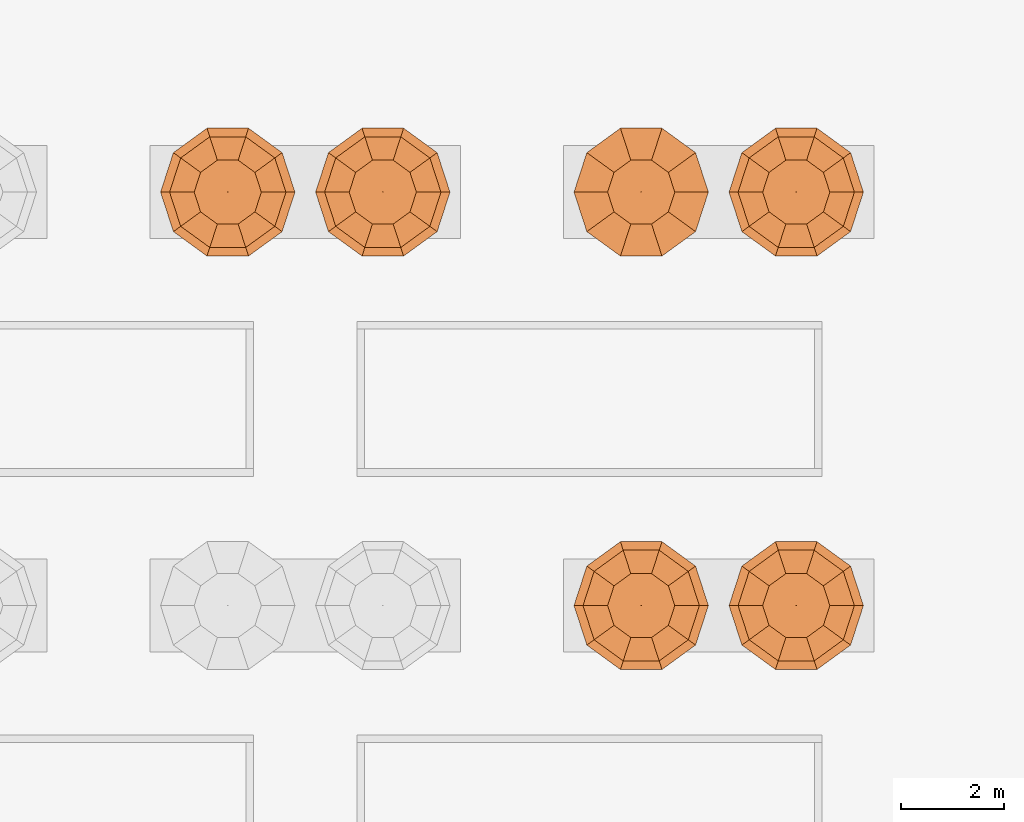
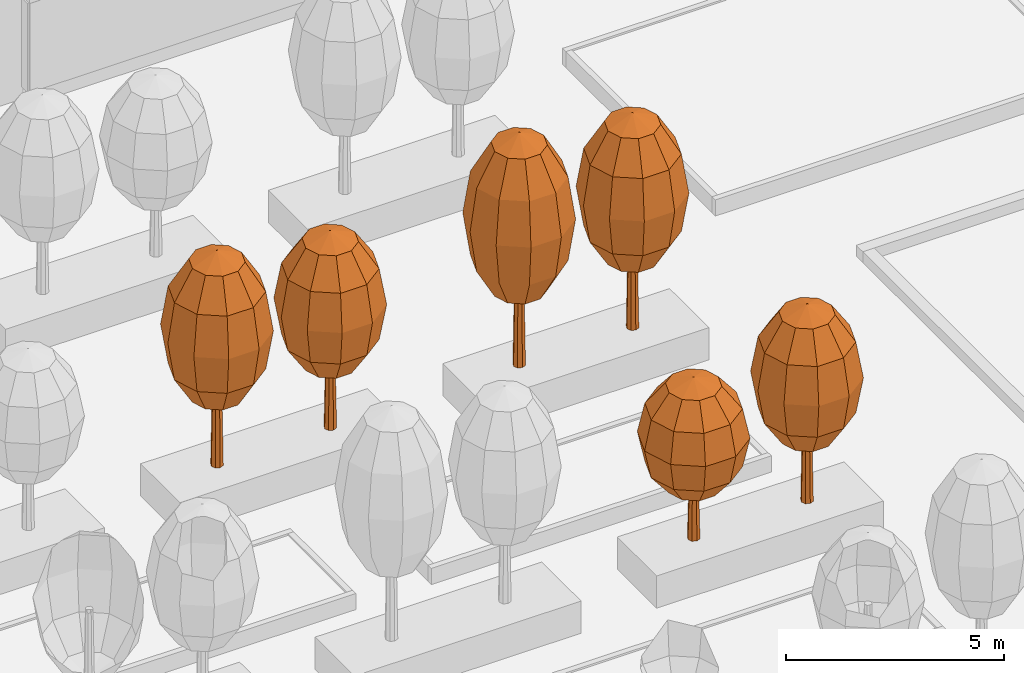
# One storey, part 95 of 100: 6 proxies.
"""IFC4 building model written with IfcOpenShell, lengths in metres."""

from ifc_helpers import new_model, si_unit, direction, frame, origin, place, context, subcontext, project, spatial, triangles, element, save


model = new_model("IFC4")

# Units and contexts
model_context = context("Model", 3, precision=1e-05, world=origin(), true_north=direction((0.0, 1.0)))
body_context = subcontext(model_context, "Body", "Model", "MODEL_VIEW")
ifc_project = project(units=[si_unit("LENGTHUNIT", "METRE"), si_unit("AREAUNIT", "SQUARE_METRE"), si_unit("VOLUMEUNIT", "CUBIC_METRE"), si_unit("PLANEANGLEUNIT", "RADIAN"), si_unit("MASSUNIT", "GRAM", prefix="KILO")], contexts=[model_context])

# Site, building, storey
site_placement = place(None, origin())
site = spatial("IfcSite", under=ifc_project, at=site_placement, CompositionType="ELEMENT")
building_placement = place(site_placement, origin())
building = spatial("IfcBuilding", under=site, at=building_placement, Name="Hakoniwa Tower and Hamabe Station Hall", CompositionType="ELEMENT")
storey_placement = place(building_placement, frame((0.0, 0.0, 9.0)))
storey = spatial("IfcBuildingStorey", under=building, at=storey_placement, Name="L02", CompositionType="ELEMENT", Elevation=9.0)

# Proxies
proxy_1_placement = place(storey_placement, frame((-4.5, -49.0, 0.89990234375)))
element("IfcBuildingElementProxy", 1, at=proxy_1_placement, inside=storey, Name="Tree Camellia sasanqua 09-1", ObjectType="TREE", PredefinedType="USERDEFINED", context=body_context, shape_type="Tessellation", body=[
    triangles([(0.14990234375, 0.0, 0.0), (0.106201171875, 0.106201171875, 0.0), (0.0, 0.14990234375, 0.0), (-0.106201171875, 0.106201171875, 0.0), (-0.14990234375, 0.0, 0.0), (-0.106201171875, -0.106201171875, 0.0), (0.0, -0.14990234375, 0.0), (0.106201171875, -0.106201171875, 0.0), (0.090087890625, 0.0, 2.718017578125), (0.063720703125, 0.063720703125, 2.718017578125), (0.0, 0.090087890625, 2.718017578125), (-0.063720703125, 0.063720703125, 2.718017578125), (-0.090087890625, 0.0, 2.718017578125), (-0.063720703125, -0.063720703125, 2.718017578125), (0.0, -0.090087890625, 2.718017578125), (0.063720703125, -0.063720703125, 2.718017578125), (0.0, 0.0, 0.0), (0.0, 0.0, 2.718017578125)], [[1, 2, 10], [1, 10, 9], [17, 2, 1], [18, 9, 10], [2, 3, 11], [2, 11, 10], [17, 3, 2], [18, 10, 11], [3, 4, 12], [3, 12, 11], [17, 4, 3], [18, 11, 12], [4, 5, 13], [4, 13, 12], [17, 5, 4], [18, 12, 13], [5, 6, 14], [5, 14, 13], [17, 6, 5], [18, 13, 14], [6, 7, 15], [6, 15, 14], [17, 7, 6], [18, 14, 15], [7, 8, 16], [7, 16, 15], [17, 8, 7], [18, 15, 16], [8, 1, 9], [8, 9, 16], [17, 1, 8], [18, 16, 9]], closed=True),
    triangles([(0.0, 0.0, 1.260009765625), (0.64990234375, 0.0, 1.47705078125), (0.52587890625, 0.382080078125, 1.47705078125), (0.200927734375, 0.6181640625, 1.47705078125), (-0.200927734375, 0.6181640625, 1.47705078125), (-0.52587890625, 0.382080078125, 1.47705078125), (-0.64990234375, 0.0, 1.47705078125), (-0.52587890625, -0.382080078125, 1.47705078125), (-0.200927734375, -0.6181640625, 1.47705078125), (0.200927734375, -0.6181640625, 1.47705078125), (0.52587890625, -0.382080078125, 1.47705078125), (1.1259765625, 0.0, 2.070068359375), (0.910888671875, 0.661865234375, 2.070068359375), (0.347900390625, 1.07080078125, 2.070068359375), (-0.347900390625, 1.07080078125, 2.070068359375), (-0.910888671875, 0.661865234375, 2.070068359375), (-1.1259765625, 0.0, 2.070068359375), (-0.910888671875, -0.661865234375, 2.070068359375), (-0.347900390625, -1.07080078125, 2.070068359375), (0.347900390625, -1.07080078125, 2.070068359375), (0.910888671875, -0.661865234375, 2.070068359375), (1.300048828125, 0.0, 2.8798828125), (1.0517578125, 0.76416015625, 2.8798828125), (0.40185546875, 1.236328125, 2.8798828125), (-0.40185546875, 1.236328125, 2.8798828125), (-1.0517578125, 0.76416015625, 2.8798828125), (-1.300048828125, 0.0, 2.8798828125), (-1.0517578125, -0.76416015625, 2.8798828125), (-0.40185546875, -1.236328125, 2.8798828125), (0.40185546875, -1.236328125, 2.8798828125), (1.0517578125, -0.76416015625, 2.8798828125), (1.1259765625, 0.0, 3.68994140625), (0.910888671875, 0.661865234375, 3.68994140625), (0.347900390625, 1.07080078125, 3.68994140625), (-0.347900390625, 1.07080078125, 3.68994140625), (-0.910888671875, 0.661865234375, 3.68994140625), (-1.1259765625, 0.0, 3.68994140625), (-0.910888671875, -0.661865234375, 3.68994140625), (-0.347900390625, -1.07080078125, 3.68994140625), (0.347900390625, -1.07080078125, 3.68994140625), (0.910888671875, -0.661865234375, 3.68994140625), (0.64990234375, 0.0, 4.282958984375), (0.52587890625, 0.382080078125, 4.282958984375), (0.200927734375, 0.6181640625, 4.282958984375), (-0.200927734375, 0.6181640625, 4.282958984375), (-0.52587890625, 0.382080078125, 4.282958984375), (-0.64990234375, 0.0, 4.282958984375), (-0.52587890625, -0.382080078125, 4.282958984375), (-0.200927734375, -0.6181640625, 4.282958984375), (0.200927734375, -0.6181640625, 4.282958984375), (0.52587890625, -0.382080078125, 4.282958984375), (0.0, 0.0, 4.5)], [[1, 3, 2], [1, 4, 3], [1, 5, 4], [1, 6, 5], [1, 7, 6], [1, 8, 7], [1, 9, 8], [1, 10, 9], [1, 11, 10], [1, 2, 11], [2, 3, 13], [2, 13, 12], [3, 4, 14], [3, 14, 13], [4, 5, 15], [4, 15, 14], [5, 6, 16], [5, 16, 15], [6, 7, 17], [6, 17, 16], [7, 8, 18], [7, 18, 17], [8, 9, 19], [8, 19, 18], [9, 10, 20], [9, 20, 19], [10, 11, 21], [10, 21, 20], [11, 2, 12], [11, 12, 21], [12, 13, 23], [12, 23, 22], [13, 14, 24], [13, 24, 23], [14, 15, 25], [14, 25, 24], [15, 16, 26], [15, 26, 25], [16, 17, 27], [16, 27, 26], [17, 18, 28], [17, 28, 27], [18, 19, 29], [18, 29, 28], [19, 20, 30], [19, 30, 29], [20, 21, 31], [20, 31, 30], [21, 12, 22], [21, 22, 31], [22, 23, 33], [22, 33, 32], [23, 24, 34], [23, 34, 33], [24, 25, 35], [24, 35, 34], [25, 26, 36], [25, 36, 35], [26, 27, 37], [26, 37, 36], [27, 28, 38], [27, 38, 37], [28, 29, 39], [28, 39, 38], [29, 30, 40], [29, 40, 39], [30, 31, 41], [30, 41, 40], [31, 22, 32], [31, 32, 41], [32, 33, 43], [32, 43, 42], [33, 34, 44], [33, 44, 43], [34, 35, 45], [34, 45, 44], [35, 36, 46], [35, 46, 45], [36, 37, 47], [36, 47, 46], [37, 38, 48], [37, 48, 47], [38, 39, 49], [38, 49, 48], [39, 40, 50], [39, 50, 49], [40, 41, 51], [40, 51, 50], [41, 32, 42], [41, 42, 51], [52, 42, 43], [52, 43, 44], [52, 44, 45], [52, 45, 46], [52, 46, 47], [52, 47, 48], [52, 48, 49], [52, 49, 50], [52, 50, 51], [52, 51, 42]], closed=True),
])
proxy_2_placement = place(storey_placement, frame((-1.5, -49.0, 0.89990234375)))
element("IfcBuildingElementProxy", 2, at=proxy_2_placement, inside=storey, Name="Tree Ternstroemia gymnanthera 09-2", ObjectType="TREE", PredefinedType="USERDEFINED", context=body_context, shape_type="Tessellation", body=[
    triangles([(0.14990234375, 0.0, 0.0), (0.106201171875, 0.106201171875, 0.0), (0.0, 0.14990234375, 0.0), (-0.106201171875, 0.106201171875, 0.0), (-0.14990234375, 0.0, 0.0), (-0.106201171875, -0.106201171875, 0.0), (0.0, -0.14990234375, 0.0), (0.106201171875, -0.106201171875, 0.0), (0.090087890625, 0.0, 3.322021484375), (0.063720703125, 0.063720703125, 3.322021484375), (0.0, 0.090087890625, 3.322021484375), (-0.063720703125, 0.063720703125, 3.322021484375), (-0.090087890625, 0.0, 3.322021484375), (-0.063720703125, -0.063720703125, 3.322021484375), (0.0, -0.090087890625, 3.322021484375), (0.063720703125, -0.063720703125, 3.322021484375), (0.0, 0.0, 0.0), (0.0, 0.0, 3.322021484375)], [[1, 2, 10], [1, 10, 9], [17, 2, 1], [18, 9, 10], [2, 3, 11], [2, 11, 10], [17, 3, 2], [18, 10, 11], [3, 4, 12], [3, 12, 11], [17, 4, 3], [18, 11, 12], [4, 5, 13], [4, 13, 12], [17, 5, 4], [18, 12, 13], [5, 6, 14], [5, 14, 13], [17, 6, 5], [18, 13, 14], [6, 7, 15], [6, 15, 14], [17, 7, 6], [18, 14, 15], [7, 8, 16], [7, 16, 15], [17, 8, 7], [18, 15, 16], [8, 1, 9], [8, 9, 16], [17, 1, 8], [18, 16, 9]], closed=True),
    triangles([(0.0, 0.0, 1.5400390625), (0.64990234375, 0.0, 1.80517578125), (0.52587890625, 0.382080078125, 1.80517578125), (0.200927734375, 0.6181640625, 1.80517578125), (-0.200927734375, 0.6181640625, 1.80517578125), (-0.52587890625, 0.382080078125, 1.80517578125), (-0.64990234375, 0.0, 1.80517578125), (-0.52587890625, -0.382080078125, 1.80517578125), (-0.200927734375, -0.6181640625, 1.80517578125), (0.200927734375, -0.6181640625, 1.80517578125), (0.52587890625, -0.382080078125, 1.80517578125), (1.1259765625, 0.0, 2.530029296875), (0.910888671875, 0.661865234375, 2.530029296875), (0.347900390625, 1.07080078125, 2.530029296875), (-0.347900390625, 1.07080078125, 2.530029296875), (-0.910888671875, 0.661865234375, 2.530029296875), (-1.1259765625, 0.0, 2.530029296875), (-0.910888671875, -0.661865234375, 2.530029296875), (-0.347900390625, -1.07080078125, 2.530029296875), (0.347900390625, -1.07080078125, 2.530029296875), (0.910888671875, -0.661865234375, 2.530029296875), (1.300048828125, 0.0, 3.52001953125), (1.0517578125, 0.76416015625, 3.52001953125), (0.40185546875, 1.236328125, 3.52001953125), (-0.40185546875, 1.236328125, 3.52001953125), (-1.0517578125, 0.76416015625, 3.52001953125), (-1.300048828125, 0.0, 3.52001953125), (-1.0517578125, -0.76416015625, 3.52001953125), (-0.40185546875, -1.236328125, 3.52001953125), (0.40185546875, -1.236328125, 3.52001953125), (1.0517578125, -0.76416015625, 3.52001953125), (1.1259765625, 0.0, 4.510009765625), (0.910888671875, 0.661865234375, 4.510009765625), (0.347900390625, 1.07080078125, 4.510009765625), (-0.347900390625, 1.07080078125, 4.510009765625), (-0.910888671875, 0.661865234375, 4.510009765625), (-1.1259765625, 0.0, 4.510009765625), (-0.910888671875, -0.661865234375, 4.510009765625), (-0.347900390625, -1.07080078125, 4.510009765625), (0.347900390625, -1.07080078125, 4.510009765625), (0.910888671875, -0.661865234375, 4.510009765625), (0.64990234375, 0.0, 5.234619140625), (0.52587890625, 0.382080078125, 5.234619140625), (0.200927734375, 0.6181640625, 5.234619140625), (-0.200927734375, 0.6181640625, 5.234619140625), (-0.52587890625, 0.382080078125, 5.234619140625), (-0.64990234375, 0.0, 5.234619140625), (-0.52587890625, -0.382080078125, 5.234619140625), (-0.200927734375, -0.6181640625, 5.234619140625), (0.200927734375, -0.6181640625, 5.234619140625), (0.52587890625, -0.382080078125, 5.234619140625), (0.0, 0.0, 5.5)], [[1, 3, 2], [1, 4, 3], [1, 5, 4], [1, 6, 5], [1, 7, 6], [1, 8, 7], [1, 9, 8], [1, 10, 9], [1, 11, 10], [1, 2, 11], [2, 3, 13], [2, 13, 12], [3, 4, 14], [3, 14, 13], [4, 5, 15], [4, 15, 14], [5, 6, 16], [5, 16, 15], [6, 7, 17], [6, 17, 16], [7, 8, 18], [7, 18, 17], [8, 9, 19], [8, 19, 18], [9, 10, 20], [9, 20, 19], [10, 11, 21], [10, 21, 20], [11, 2, 12], [11, 12, 21], [12, 13, 23], [12, 23, 22], [13, 14, 24], [13, 24, 23], [14, 15, 25], [14, 25, 24], [15, 16, 26], [15, 26, 25], [16, 17, 27], [16, 27, 26], [17, 18, 28], [17, 28, 27], [18, 19, 29], [18, 29, 28], [19, 20, 30], [19, 30, 29], [20, 21, 31], [20, 31, 30], [21, 12, 22], [21, 22, 31], [22, 23, 33], [22, 33, 32], [23, 24, 34], [23, 34, 33], [24, 25, 35], [24, 35, 34], [25, 26, 36], [25, 36, 35], [26, 27, 37], [26, 37, 36], [27, 28, 38], [27, 38, 37], [28, 29, 39], [28, 39, 38], [29, 30, 40], [29, 40, 39], [30, 31, 41], [30, 41, 40], [31, 22, 32], [31, 32, 41], [32, 33, 43], [32, 43, 42], [33, 34, 44], [33, 44, 43], [34, 35, 45], [34, 45, 44], [35, 36, 46], [35, 46, 45], [36, 37, 47], [36, 47, 46], [37, 38, 48], [37, 48, 47], [38, 39, 49], [38, 49, 48], [39, 40, 50], [39, 50, 49], [40, 41, 51], [40, 51, 50], [41, 32, 42], [41, 42, 51], [52, 42, 43], [52, 43, 44], [52, 44, 45], [52, 45, 46], [52, 46, 47], [52, 47, 48], [52, 48, 49], [52, 49, 50], [52, 50, 51], [52, 51, 42]], closed=True),
])
proxy_3_placement = place(storey_placement, frame((-12.5, -41.0, 0.89990234375)))
element("IfcBuildingElementProxy", 3, at=proxy_3_placement, inside=storey, Name="Tree Biota orientalis 14-1", ObjectType="TREE", PredefinedType="USERDEFINED", context=body_context, shape_type="Tessellation", body=[
    triangles([(0.14990234375, 0.0, 0.0), (0.106201171875, 0.106201171875, 0.0), (0.0, 0.14990234375, 0.0), (-0.106201171875, 0.106201171875, 0.0), (-0.14990234375, 0.0, 0.0), (-0.106201171875, -0.106201171875, 0.0), (0.0, -0.14990234375, 0.0), (0.106201171875, -0.106201171875, 0.0), (0.090087890625, 0.0, 3.6240234375), (0.063720703125, 0.063720703125, 3.6240234375), (0.0, 0.090087890625, 3.6240234375), (-0.063720703125, 0.063720703125, 3.6240234375), (-0.090087890625, 0.0, 3.6240234375), (-0.063720703125, -0.063720703125, 3.6240234375), (0.0, -0.090087890625, 3.6240234375), (0.063720703125, -0.063720703125, 3.6240234375), (0.0, 0.0, 0.0), (0.0, 0.0, 3.6240234375)], [[1, 2, 10], [1, 10, 9], [17, 2, 1], [18, 9, 10], [2, 3, 11], [2, 11, 10], [17, 3, 2], [18, 10, 11], [3, 4, 12], [3, 12, 11], [17, 4, 3], [18, 11, 12], [4, 5, 13], [4, 13, 12], [17, 5, 4], [18, 12, 13], [5, 6, 14], [5, 14, 13], [17, 6, 5], [18, 13, 14], [6, 7, 15], [6, 15, 14], [17, 7, 6], [18, 14, 15], [7, 8, 16], [7, 16, 15], [17, 8, 7], [18, 15, 16], [8, 1, 9], [8, 9, 16], [17, 1, 8], [18, 16, 9]], closed=True),
    triangles([(0.0, 0.0, 1.679931640625), (0.64990234375, 0.0, 1.969482421875), (0.52587890625, 0.382080078125, 1.969482421875), (0.200927734375, 0.6181640625, 1.969482421875), (-0.200927734375, 0.6181640625, 1.969482421875), (-0.52587890625, 0.382080078125, 1.969482421875), (-0.64990234375, 0.0, 1.969482421875), (-0.52587890625, -0.382080078125, 1.969482421875), (-0.200927734375, -0.6181640625, 1.969482421875), (0.200927734375, -0.6181640625, 1.969482421875), (0.52587890625, -0.382080078125, 1.969482421875), (1.1259765625, 0.0, 2.760009765625), (0.910888671875, 0.661865234375, 2.760009765625), (0.347900390625, 1.07080078125, 2.760009765625), (-0.347900390625, 1.07080078125, 2.760009765625), (-0.910888671875, 0.661865234375, 2.760009765625), (-1.1259765625, 0.0, 2.760009765625), (-0.910888671875, -0.661865234375, 2.760009765625), (-0.347900390625, -1.07080078125, 2.760009765625), (0.347900390625, -1.07080078125, 2.760009765625), (0.910888671875, -0.661865234375, 2.760009765625), (1.300048828125, 0.0, 3.840087890625), (1.0517578125, 0.76416015625, 3.840087890625), (0.40185546875, 1.236328125, 3.840087890625), (-0.40185546875, 1.236328125, 3.840087890625), (-1.0517578125, 0.76416015625, 3.840087890625), (-1.300048828125, 0.0, 3.840087890625), (-1.0517578125, -0.76416015625, 3.840087890625), (-0.40185546875, -1.236328125, 3.840087890625), (0.40185546875, -1.236328125, 3.840087890625), (1.0517578125, -0.76416015625, 3.840087890625), (1.1259765625, 0.0, 4.919921875), (0.910888671875, 0.661865234375, 4.919921875), (0.347900390625, 1.07080078125, 4.919921875), (-0.347900390625, 1.07080078125, 4.919921875), (-0.910888671875, 0.661865234375, 4.919921875), (-1.1259765625, 0.0, 4.919921875), (-0.910888671875, -0.661865234375, 4.919921875), (-0.347900390625, -1.07080078125, 4.919921875), (0.347900390625, -1.07080078125, 4.919921875), (0.910888671875, -0.661865234375, 4.919921875), (0.64990234375, 0.0, 5.710693359375), (0.52587890625, 0.382080078125, 5.710693359375), (0.200927734375, 0.6181640625, 5.710693359375), (-0.200927734375, 0.6181640625, 5.710693359375), (-0.52587890625, 0.382080078125, 5.710693359375), (-0.64990234375, 0.0, 5.710693359375), (-0.52587890625, -0.382080078125, 5.710693359375), (-0.200927734375, -0.6181640625, 5.710693359375), (0.200927734375, -0.6181640625, 5.710693359375), (0.52587890625, -0.382080078125, 5.710693359375), (0.0, 0.0, 6.0)], [[1, 3, 2], [1, 4, 3], [1, 5, 4], [1, 6, 5], [1, 7, 6], [1, 8, 7], [1, 9, 8], [1, 10, 9], [1, 11, 10], [1, 2, 11], [2, 3, 13], [2, 13, 12], [3, 4, 14], [3, 14, 13], [4, 5, 15], [4, 15, 14], [5, 6, 16], [5, 16, 15], [6, 7, 17], [6, 17, 16], [7, 8, 18], [7, 18, 17], [8, 9, 19], [8, 19, 18], [9, 10, 20], [9, 20, 19], [10, 11, 21], [10, 21, 20], [11, 2, 12], [11, 12, 21], [12, 13, 23], [12, 23, 22], [13, 14, 24], [13, 24, 23], [14, 15, 25], [14, 25, 24], [15, 16, 26], [15, 26, 25], [16, 17, 27], [16, 27, 26], [17, 18, 28], [17, 28, 27], [18, 19, 29], [18, 29, 28], [19, 20, 30], [19, 30, 29], [20, 21, 31], [20, 31, 30], [21, 12, 22], [21, 22, 31], [22, 23, 33], [22, 33, 32], [23, 24, 34], [23, 34, 33], [24, 25, 35], [24, 35, 34], [25, 26, 36], [25, 36, 35], [26, 27, 37], [26, 37, 36], [27, 28, 38], [27, 38, 37], [28, 29, 39], [28, 39, 38], [29, 30, 40], [29, 40, 39], [30, 31, 41], [30, 41, 40], [31, 22, 32], [31, 32, 41], [32, 33, 43], [32, 43, 42], [33, 34, 44], [33, 44, 43], [34, 35, 45], [34, 45, 44], [35, 36, 46], [35, 46, 45], [36, 37, 47], [36, 47, 46], [37, 38, 48], [37, 48, 47], [38, 39, 49], [38, 49, 48], [39, 40, 50], [39, 50, 49], [40, 41, 51], [40, 51, 50], [41, 32, 42], [41, 42, 51], [52, 42, 43], [52, 43, 44], [52, 44, 45], [52, 45, 46], [52, 46, 47], [52, 47, 48], [52, 48, 49], [52, 49, 50], [52, 50, 51], [52, 51, 42]], closed=True),
])
proxy_4_placement = place(storey_placement, frame((-9.5, -41.0, 0.89990234375)))
element("IfcBuildingElementProxy", 4, at=proxy_4_placement, inside=storey, Name="Tree Dendropanax trifidus 14-2", ObjectType="TREE", PredefinedType="USERDEFINED", context=body_context, shape_type="Tessellation", body=[
    triangles([(0.14990234375, 0.0, 0.0), (0.106201171875, 0.106201171875, 0.0), (0.0, 0.14990234375, 0.0), (-0.106201171875, 0.106201171875, 0.0), (-0.14990234375, 0.0, 0.0), (-0.106201171875, -0.106201171875, 0.0), (0.0, -0.14990234375, 0.0), (0.106201171875, -0.106201171875, 0.0), (0.090087890625, 0.0, 3.322021484375), (0.063720703125, 0.063720703125, 3.322021484375), (0.0, 0.090087890625, 3.322021484375), (-0.063720703125, 0.063720703125, 3.322021484375), (-0.090087890625, 0.0, 3.322021484375), (-0.063720703125, -0.063720703125, 3.322021484375), (0.0, -0.090087890625, 3.322021484375), (0.063720703125, -0.063720703125, 3.322021484375), (0.0, 0.0, 0.0), (0.0, 0.0, 3.322021484375)], [[1, 2, 10], [1, 10, 9], [17, 2, 1], [18, 9, 10], [2, 3, 11], [2, 11, 10], [17, 3, 2], [18, 10, 11], [3, 4, 12], [3, 12, 11], [17, 4, 3], [18, 11, 12], [4, 5, 13], [4, 13, 12], [17, 5, 4], [18, 12, 13], [5, 6, 14], [5, 14, 13], [17, 6, 5], [18, 13, 14], [6, 7, 15], [6, 15, 14], [17, 7, 6], [18, 14, 15], [7, 8, 16], [7, 16, 15], [17, 8, 7], [18, 15, 16], [8, 1, 9], [8, 9, 16], [17, 1, 8], [18, 16, 9]], closed=True),
    triangles([(0.0, 0.0, 1.5400390625), (0.64990234375, 0.0, 1.80517578125), (0.52587890625, 0.382080078125, 1.80517578125), (0.200927734375, 0.6181640625, 1.80517578125), (-0.200927734375, 0.6181640625, 1.80517578125), (-0.52587890625, 0.382080078125, 1.80517578125), (-0.64990234375, 0.0, 1.80517578125), (-0.52587890625, -0.382080078125, 1.80517578125), (-0.200927734375, -0.6181640625, 1.80517578125), (0.200927734375, -0.6181640625, 1.80517578125), (0.52587890625, -0.382080078125, 1.80517578125), (1.1259765625, 0.0, 2.530029296875), (0.910888671875, 0.661865234375, 2.530029296875), (0.347900390625, 1.07080078125, 2.530029296875), (-0.347900390625, 1.07080078125, 2.530029296875), (-0.910888671875, 0.661865234375, 2.530029296875), (-1.1259765625, 0.0, 2.530029296875), (-0.910888671875, -0.661865234375, 2.530029296875), (-0.347900390625, -1.07080078125, 2.530029296875), (0.347900390625, -1.07080078125, 2.530029296875), (0.910888671875, -0.661865234375, 2.530029296875), (1.300048828125, 0.0, 3.52001953125), (1.0517578125, 0.76416015625, 3.52001953125), (0.40185546875, 1.236328125, 3.52001953125), (-0.40185546875, 1.236328125, 3.52001953125), (-1.0517578125, 0.76416015625, 3.52001953125), (-1.300048828125, 0.0, 3.52001953125), (-1.0517578125, -0.76416015625, 3.52001953125), (-0.40185546875, -1.236328125, 3.52001953125), (0.40185546875, -1.236328125, 3.52001953125), (1.0517578125, -0.76416015625, 3.52001953125), (1.1259765625, 0.0, 4.510009765625), (0.910888671875, 0.661865234375, 4.510009765625), (0.347900390625, 1.07080078125, 4.510009765625), (-0.347900390625, 1.07080078125, 4.510009765625), (-0.910888671875, 0.661865234375, 4.510009765625), (-1.1259765625, 0.0, 4.510009765625), (-0.910888671875, -0.661865234375, 4.510009765625), (-0.347900390625, -1.07080078125, 4.510009765625), (0.347900390625, -1.07080078125, 4.510009765625), (0.910888671875, -0.661865234375, 4.510009765625), (0.64990234375, 0.0, 5.234619140625), (0.52587890625, 0.382080078125, 5.234619140625), (0.200927734375, 0.6181640625, 5.234619140625), (-0.200927734375, 0.6181640625, 5.234619140625), (-0.52587890625, 0.382080078125, 5.234619140625), (-0.64990234375, 0.0, 5.234619140625), (-0.52587890625, -0.382080078125, 5.234619140625), (-0.200927734375, -0.6181640625, 5.234619140625), (0.200927734375, -0.6181640625, 5.234619140625), (0.52587890625, -0.382080078125, 5.234619140625), (0.0, 0.0, 5.5)], [[1, 3, 2], [1, 4, 3], [1, 5, 4], [1, 6, 5], [1, 7, 6], [1, 8, 7], [1, 9, 8], [1, 10, 9], [1, 11, 10], [1, 2, 11], [2, 3, 13], [2, 13, 12], [3, 4, 14], [3, 14, 13], [4, 5, 15], [4, 15, 14], [5, 6, 16], [5, 16, 15], [6, 7, 17], [6, 17, 16], [7, 8, 18], [7, 18, 17], [8, 9, 19], [8, 19, 18], [9, 10, 20], [9, 20, 19], [10, 11, 21], [10, 21, 20], [11, 2, 12], [11, 12, 21], [12, 13, 23], [12, 23, 22], [13, 14, 24], [13, 24, 23], [14, 15, 25], [14, 25, 24], [15, 16, 26], [15, 26, 25], [16, 17, 27], [16, 27, 26], [17, 18, 28], [17, 28, 27], [18, 19, 29], [18, 29, 28], [19, 20, 30], [19, 30, 29], [20, 21, 31], [20, 31, 30], [21, 12, 22], [21, 22, 31], [22, 23, 33], [22, 33, 32], [23, 24, 34], [23, 34, 33], [24, 25, 35], [24, 35, 34], [25, 26, 36], [25, 36, 35], [26, 27, 37], [26, 37, 36], [27, 28, 38], [27, 38, 37], [28, 29, 39], [28, 39, 38], [29, 30, 40], [29, 40, 39], [30, 31, 41], [30, 41, 40], [31, 22, 32], [31, 32, 41], [32, 33, 43], [32, 43, 42], [33, 34, 44], [33, 44, 43], [34, 35, 45], [34, 45, 44], [35, 36, 46], [35, 46, 45], [36, 37, 47], [36, 47, 46], [37, 38, 48], [37, 48, 47], [38, 39, 49], [38, 49, 48], [39, 40, 50], [39, 50, 49], [40, 41, 51], [40, 51, 50], [41, 32, 42], [41, 42, 51], [52, 42, 43], [52, 43, 44], [52, 44, 45], [52, 45, 46], [52, 46, 47], [52, 47, 48], [52, 48, 49], [52, 49, 50], [52, 50, 51], [52, 51, 42]], closed=True),
])
proxy_5_placement = place(storey_placement, frame((-4.5, -41.0, 0.89990234375)))
element("IfcBuildingElementProxy", 5, at=proxy_5_placement, inside=storey, Name="Tree Quercus phillyraeoides 15-1", ObjectType="TREE", PredefinedType="USERDEFINED", context=body_context, shape_type="Tessellation", body=[
    triangles([(0.14990234375, 0.0, 0.0), (0.106201171875, 0.106201171875, 0.0), (0.0, 0.14990234375, 0.0), (-0.106201171875, 0.106201171875, 0.0), (-0.14990234375, 0.0, 0.0), (-0.106201171875, -0.106201171875, 0.0), (0.0, -0.14990234375, 0.0), (0.106201171875, -0.106201171875, 0.0), (0.090087890625, 0.0, 3.926025390625), (0.063720703125, 0.063720703125, 3.926025390625), (0.0, 0.090087890625, 3.926025390625), (-0.063720703125, 0.063720703125, 3.926025390625), (-0.090087890625, 0.0, 3.926025390625), (-0.063720703125, -0.063720703125, 3.926025390625), (0.0, -0.090087890625, 3.926025390625), (0.063720703125, -0.063720703125, 3.926025390625), (0.0, 0.0, 0.0), (0.0, 0.0, 3.926025390625)], [[1, 2, 10], [1, 10, 9], [17, 2, 1], [18, 9, 10], [2, 3, 11], [2, 11, 10], [17, 3, 2], [18, 10, 11], [3, 4, 12], [3, 12, 11], [17, 4, 3], [18, 11, 12], [4, 5, 13], [4, 13, 12], [17, 5, 4], [18, 12, 13], [5, 6, 14], [5, 14, 13], [17, 6, 5], [18, 13, 14], [6, 7, 15], [6, 15, 14], [17, 7, 6], [18, 14, 15], [7, 8, 16], [7, 16, 15], [17, 8, 7], [18, 15, 16], [8, 1, 9], [8, 9, 16], [17, 1, 8], [18, 16, 9]], closed=True),
    triangles([(0.0, 0.0, 1.820068359375), (0.64990234375, 0.0, 2.133544921875), (0.52587890625, 0.382080078125, 2.133544921875), (0.200927734375, 0.6181640625, 2.133544921875), (-0.200927734375, 0.6181640625, 2.133544921875), (-0.52587890625, 0.382080078125, 2.133544921875), (-0.64990234375, 0.0, 2.133544921875), (-0.52587890625, -0.382080078125, 2.133544921875), (-0.200927734375, -0.6181640625, 2.133544921875), (0.200927734375, -0.6181640625, 2.133544921875), (0.52587890625, -0.382080078125, 2.133544921875), (1.1259765625, 0.0, 2.989990234375), (0.910888671875, 0.661865234375, 2.989990234375), (0.347900390625, 1.07080078125, 2.989990234375), (-0.347900390625, 1.07080078125, 2.989990234375), (-0.910888671875, 0.661865234375, 2.989990234375), (-1.1259765625, 0.0, 2.989990234375), (-0.910888671875, -0.661865234375, 2.989990234375), (-0.347900390625, -1.07080078125, 2.989990234375), (0.347900390625, -1.07080078125, 2.989990234375), (0.910888671875, -0.661865234375, 2.989990234375), (1.300048828125, 0.0, 4.159912109375), (1.0517578125, 0.76416015625, 4.159912109375), (0.40185546875, 1.236328125, 4.159912109375), (-0.40185546875, 1.236328125, 4.159912109375), (-1.0517578125, 0.76416015625, 4.159912109375), (-1.300048828125, 0.0, 4.159912109375), (-1.0517578125, -0.76416015625, 4.159912109375), (-0.40185546875, -1.236328125, 4.159912109375), (0.40185546875, -1.236328125, 4.159912109375), (1.0517578125, -0.76416015625, 4.159912109375), (1.1259765625, 0.0, 5.330078125), (0.910888671875, 0.661865234375, 5.330078125), (0.347900390625, 1.07080078125, 5.330078125), (-0.347900390625, 1.07080078125, 5.330078125), (-0.910888671875, 0.661865234375, 5.330078125), (-1.1259765625, 0.0, 5.330078125), (-0.910888671875, -0.661865234375, 5.330078125), (-0.347900390625, -1.07080078125, 5.330078125), (0.347900390625, -1.07080078125, 5.330078125), (0.910888671875, -0.661865234375, 5.330078125), (0.64990234375, 0.0, 6.1865234375), (0.52587890625, 0.382080078125, 6.1865234375), (0.200927734375, 0.6181640625, 6.1865234375), (-0.200927734375, 0.6181640625, 6.1865234375), (-0.52587890625, 0.382080078125, 6.1865234375), (-0.64990234375, 0.0, 6.1865234375), (-0.52587890625, -0.382080078125, 6.1865234375), (-0.200927734375, -0.6181640625, 6.1865234375), (0.200927734375, -0.6181640625, 6.1865234375), (0.52587890625, -0.382080078125, 6.1865234375), (0.0, 0.0, 6.5)], [[1, 3, 2], [1, 4, 3], [1, 5, 4], [1, 6, 5], [1, 7, 6], [1, 8, 7], [1, 9, 8], [1, 10, 9], [1, 11, 10], [1, 2, 11], [2, 3, 13], [2, 13, 12], [3, 4, 14], [3, 14, 13], [4, 5, 15], [4, 15, 14], [5, 6, 16], [5, 16, 15], [6, 7, 17], [6, 17, 16], [7, 8, 18], [7, 18, 17], [8, 9, 19], [8, 19, 18], [9, 10, 20], [9, 20, 19], [10, 11, 21], [10, 21, 20], [11, 2, 12], [11, 12, 21], [12, 13, 23], [12, 23, 22], [13, 14, 24], [13, 24, 23], [14, 15, 25], [14, 25, 24], [15, 16, 26], [15, 26, 25], [16, 17, 27], [16, 27, 26], [17, 18, 28], [17, 28, 27], [18, 19, 29], [18, 29, 28], [19, 20, 30], [19, 30, 29], [20, 21, 31], [20, 31, 30], [21, 12, 22], [21, 22, 31], [22, 23, 33], [22, 33, 32], [23, 24, 34], [23, 34, 33], [24, 25, 35], [24, 35, 34], [25, 26, 36], [25, 36, 35], [26, 27, 37], [26, 37, 36], [27, 28, 38], [27, 38, 37], [28, 29, 39], [28, 39, 38], [29, 30, 40], [29, 40, 39], [30, 31, 41], [30, 41, 40], [31, 22, 32], [31, 32, 41], [32, 33, 43], [32, 43, 42], [33, 34, 44], [33, 44, 43], [34, 35, 45], [34, 45, 44], [35, 36, 46], [35, 46, 45], [36, 37, 47], [36, 47, 46], [37, 38, 48], [37, 48, 47], [38, 39, 49], [38, 49, 48], [39, 40, 50], [39, 50, 49], [40, 41, 51], [40, 51, 50], [41, 32, 42], [41, 42, 51], [52, 42, 43], [52, 43, 44], [52, 44, 45], [52, 45, 46], [52, 46, 47], [52, 47, 48], [52, 48, 49], [52, 49, 50], [52, 50, 51], [52, 51, 42]], closed=True),
])
proxy_6_placement = place(storey_placement, frame((-1.5, -41.0, 0.89990234375)))
element("IfcBuildingElementProxy", 6, at=proxy_6_placement, inside=storey, Name="Tree Ilex rotunda 15-2", ObjectType="TREE", PredefinedType="USERDEFINED", context=body_context, shape_type="Tessellation", body=[
    triangles([(0.14990234375, 0.0, 0.0), (0.106201171875, 0.106201171875, 0.0), (0.0, 0.14990234375, 0.0), (-0.106201171875, 0.106201171875, 0.0), (-0.14990234375, 0.0, 0.0), (-0.106201171875, -0.106201171875, 0.0), (0.0, -0.14990234375, 0.0), (0.106201171875, -0.106201171875, 0.0), (0.090087890625, 0.0, 3.6240234375), (0.063720703125, 0.063720703125, 3.6240234375), (0.0, 0.090087890625, 3.6240234375), (-0.063720703125, 0.063720703125, 3.6240234375), (-0.090087890625, 0.0, 3.6240234375), (-0.063720703125, -0.063720703125, 3.6240234375), (0.0, -0.090087890625, 3.6240234375), (0.063720703125, -0.063720703125, 3.6240234375), (0.0, 0.0, 0.0), (0.0, 0.0, 3.6240234375)], [[1, 2, 10], [1, 10, 9], [17, 2, 1], [18, 9, 10], [2, 3, 11], [2, 11, 10], [17, 3, 2], [18, 10, 11], [3, 4, 12], [3, 12, 11], [17, 4, 3], [18, 11, 12], [4, 5, 13], [4, 13, 12], [17, 5, 4], [18, 12, 13], [5, 6, 14], [5, 14, 13], [17, 6, 5], [18, 13, 14], [6, 7, 15], [6, 15, 14], [17, 7, 6], [18, 14, 15], [7, 8, 16], [7, 16, 15], [17, 8, 7], [18, 15, 16], [8, 1, 9], [8, 9, 16], [17, 1, 8], [18, 16, 9]], closed=True),
    triangles([(0.0, 0.0, 1.679931640625), (0.64990234375, 0.0, 1.969482421875), (0.52587890625, 0.382080078125, 1.969482421875), (0.200927734375, 0.6181640625, 1.969482421875), (-0.200927734375, 0.6181640625, 1.969482421875), (-0.52587890625, 0.382080078125, 1.969482421875), (-0.64990234375, 0.0, 1.969482421875), (-0.52587890625, -0.382080078125, 1.969482421875), (-0.200927734375, -0.6181640625, 1.969482421875), (0.200927734375, -0.6181640625, 1.969482421875), (0.52587890625, -0.382080078125, 1.969482421875), (1.1259765625, 0.0, 2.760009765625), (0.910888671875, 0.661865234375, 2.760009765625), (0.347900390625, 1.07080078125, 2.760009765625), (-0.347900390625, 1.07080078125, 2.760009765625), (-0.910888671875, 0.661865234375, 2.760009765625), (-1.1259765625, 0.0, 2.760009765625), (-0.910888671875, -0.661865234375, 2.760009765625), (-0.347900390625, -1.07080078125, 2.760009765625), (0.347900390625, -1.07080078125, 2.760009765625), (0.910888671875, -0.661865234375, 2.760009765625), (1.300048828125, 0.0, 3.840087890625), (1.0517578125, 0.76416015625, 3.840087890625), (0.40185546875, 1.236328125, 3.840087890625), (-0.40185546875, 1.236328125, 3.840087890625), (-1.0517578125, 0.76416015625, 3.840087890625), (-1.300048828125, 0.0, 3.840087890625), (-1.0517578125, -0.76416015625, 3.840087890625), (-0.40185546875, -1.236328125, 3.840087890625), (0.40185546875, -1.236328125, 3.840087890625), (1.0517578125, -0.76416015625, 3.840087890625), (1.1259765625, 0.0, 4.919921875), (0.910888671875, 0.661865234375, 4.919921875), (0.347900390625, 1.07080078125, 4.919921875), (-0.347900390625, 1.07080078125, 4.919921875), (-0.910888671875, 0.661865234375, 4.919921875), (-1.1259765625, 0.0, 4.919921875), (-0.910888671875, -0.661865234375, 4.919921875), (-0.347900390625, -1.07080078125, 4.919921875), (0.347900390625, -1.07080078125, 4.919921875), (0.910888671875, -0.661865234375, 4.919921875), (0.64990234375, 0.0, 5.710693359375), (0.52587890625, 0.382080078125, 5.710693359375), (0.200927734375, 0.6181640625, 5.710693359375), (-0.200927734375, 0.6181640625, 5.710693359375), (-0.52587890625, 0.382080078125, 5.710693359375), (-0.64990234375, 0.0, 5.710693359375), (-0.52587890625, -0.382080078125, 5.710693359375), (-0.200927734375, -0.6181640625, 5.710693359375), (0.200927734375, -0.6181640625, 5.710693359375), (0.52587890625, -0.382080078125, 5.710693359375), (0.0, 0.0, 6.0)], [[1, 3, 2], [1, 4, 3], [1, 5, 4], [1, 6, 5], [1, 7, 6], [1, 8, 7], [1, 9, 8], [1, 10, 9], [1, 11, 10], [1, 2, 11], [2, 3, 13], [2, 13, 12], [3, 4, 14], [3, 14, 13], [4, 5, 15], [4, 15, 14], [5, 6, 16], [5, 16, 15], [6, 7, 17], [6, 17, 16], [7, 8, 18], [7, 18, 17], [8, 9, 19], [8, 19, 18], [9, 10, 20], [9, 20, 19], [10, 11, 21], [10, 21, 20], [11, 2, 12], [11, 12, 21], [12, 13, 23], [12, 23, 22], [13, 14, 24], [13, 24, 23], [14, 15, 25], [14, 25, 24], [15, 16, 26], [15, 26, 25], [16, 17, 27], [16, 27, 26], [17, 18, 28], [17, 28, 27], [18, 19, 29], [18, 29, 28], [19, 20, 30], [19, 30, 29], [20, 21, 31], [20, 31, 30], [21, 12, 22], [21, 22, 31], [22, 23, 33], [22, 33, 32], [23, 24, 34], [23, 34, 33], [24, 25, 35], [24, 35, 34], [25, 26, 36], [25, 36, 35], [26, 27, 37], [26, 37, 36], [27, 28, 38], [27, 38, 37], [28, 29, 39], [28, 39, 38], [29, 30, 40], [29, 40, 39], [30, 31, 41], [30, 41, 40], [31, 22, 32], [31, 32, 41], [32, 33, 43], [32, 43, 42], [33, 34, 44], [33, 44, 43], [34, 35, 45], [34, 45, 44], [35, 36, 46], [35, 46, 45], [36, 37, 47], [36, 47, 46], [37, 38, 48], [37, 48, 47], [38, 39, 49], [38, 49, 48], [39, 40, 50], [39, 50, 49], [40, 41, 51], [40, 51, 50], [41, 32, 42], [41, 42, 51], [52, 42, 43], [52, 43, 44], [52, 44, 45], [52, 45, 46], [52, 46, 47], [52, 47, 48], [52, 48, 49], [52, 49, 50], [52, 50, 51], [52, 51, 42]], closed=True),
])

save(model, "model.ifc")
